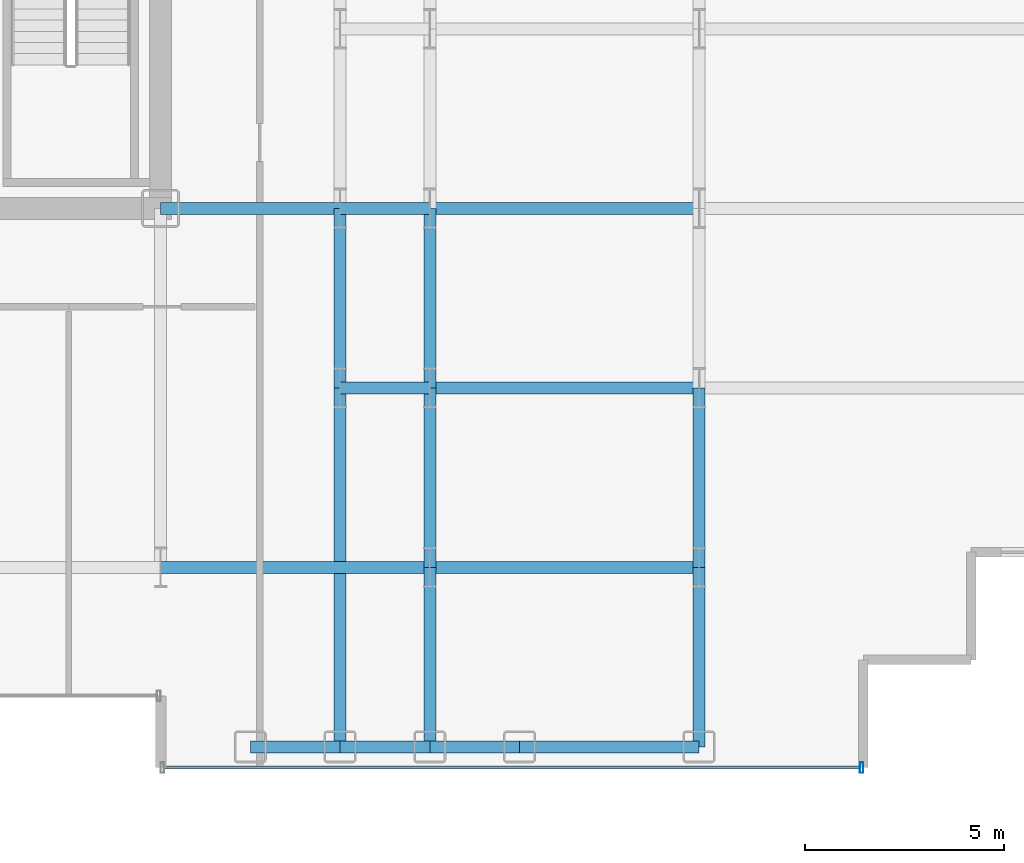
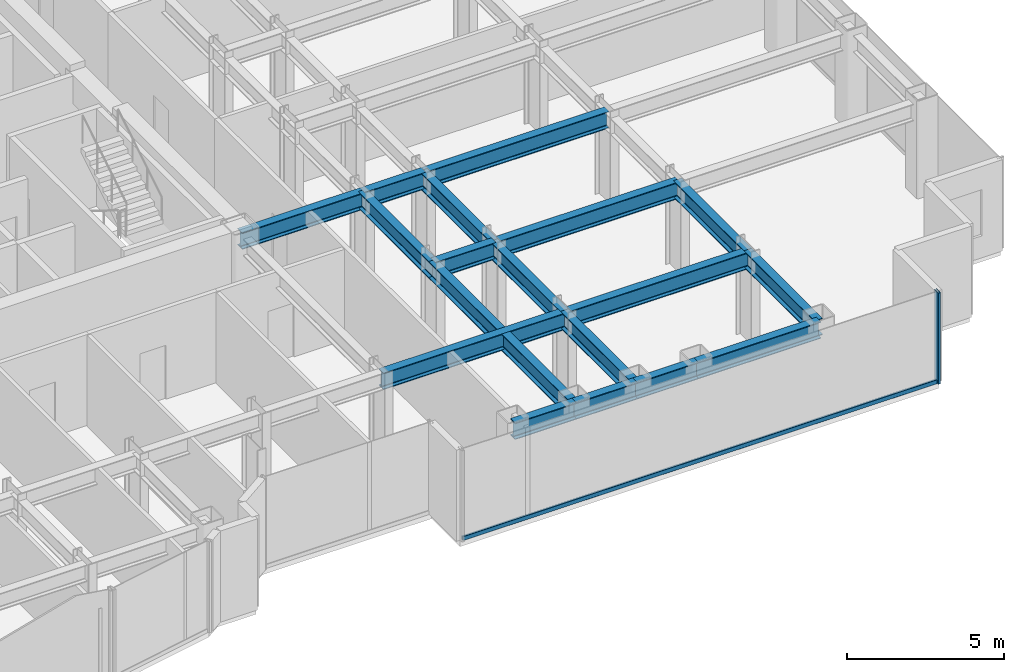
# One storey, part 7 of 25: 18 beams, 2 members, 1 element without a shape of its own.
"""IFC4 building model written with IfcOpenShell, lengths in metres."""

import ifcopenshell
import ifcopenshell.guid

model = None  # the IFC model being written
_history = None  # IfcOwnerHistory: only IFC2X3 demands one
_inside = {}  # id of a spatial element -> (the spatial element, [elements in it])
_under = {}  # id of a project, library or spatial element -> (it, [spatial elements below it])
_declared = {}  # id of a project -> (the project, [libraries it declares])
_typed = {}  # id of a type object -> (the type object, [elements of that type])
_made_of = {}  # id of a material, layer set ... -> (it, [elements and type objects made of it])


def new_model(schema):
    """Start an empty IFC model of exactly this schema.

    Asked for "IFC4X3", IfcOpenShell would pick the latest addendum, in which some entities
    have other attributes; the version numbers below select the first issue.
    IFC2X3 requires an IfcOwnerHistory on every rooted entity: one is made here for all.
    """
    global model, _history
    if schema == "IFC4X3":
        model = ifcopenshell.file(schema_version=(4, 3, 0, 0))
    else:
        model = ifcopenshell.file(schema=schema)
    _inside.clear()
    _under.clear()
    _declared.clear()
    _typed.clear()
    _made_of.clear()
    _history = None
    if model.schema == "IFC2X3":
        org = make("IfcOrganization", Name="unknown")
        user = make(
            "IfcPersonAndOrganization",
            ThePerson=make("IfcPerson", FamilyName="unknown"),
            TheOrganization=org,
        )
        app = make(
            "IfcApplication",
            ApplicationDeveloper=org,
            Version="unknown",
            ApplicationFullName="unknown",
            ApplicationIdentifier="unknown",
        )
        _history = make(
            "IfcOwnerHistory",
            OwningUser=user,
            OwningApplication=app,
            ChangeAction="ADDED",
            CreationDate=0,
        )
    return model


def make(cls, **values):
    """One entity of the class cls with the attributes given. An attribute that is None is left unset."""
    return model.create_entity(
        cls, **{name: value for name, value in values.items() if value is not None}
    )


def rooted(cls, **values):
    """An entity with a GlobalId (a new one), such as an element, a storey or a relation."""
    return make(cls, GlobalId=ifcopenshell.guid.new(), OwnerHistory=_history, **values)


def si_unit(unit_type, name, prefix=None):
    """IfcSIUnit, for example si_unit("LENGTHUNIT", "METRE", prefix="MILLI")."""
    return make("IfcSIUnit", UnitType=unit_type, Prefix=prefix, Name=name)


def assignment(units):
    """IfcUnitAssignment: the units of a project."""
    return None if units is None else make("IfcUnitAssignment", Units=units)


def point(xyz):
    """IfcCartesianPoint."""
    return None if xyz is None else make("IfcCartesianPoint", Coordinates=xyz)


def direction(xyz):
    """IfcDirection."""
    return None if xyz is None else make("IfcDirection", DirectionRatios=xyz)


def frame(location, z_axis=None, x_axis=None):
    """IfcAxis2Placement3D, a coordinate frame: its origin and axes. An axis left out is left unset."""
    return make(
        "IfcAxis2Placement3D",
        Location=point(location),
        Axis=direction(z_axis),
        RefDirection=direction(x_axis),
    )


def frame_2d(location, x_axis=None):
    """IfcAxis2Placement2D, a coordinate frame in the plane: its origin and x axis."""
    return make(
        "IfcAxis2Placement2D", Location=point(location), RefDirection=direction(x_axis)
    )


def origin():
    """The frame at (0, 0, 0) with its axes left unset."""
    return frame((0.0, 0.0, 0.0))


def origin_2d():
    """The frame at (0, 0) in the plane with its x axis left unset."""
    return frame_2d((0.0, 0.0))


def place(relative_to, where):
    """IfcLocalPlacement: puts the frame where relative to a parent placement (None: the world)."""
    return make(
        "IfcLocalPlacement", PlacementRelTo=relative_to, RelativePlacement=where
    )


def context(
    kind, dimensions, precision=None, world=None, true_north=None, identifier=None
):
    """IfcGeometricRepresentationContext, for example the 3D "Model" context."""
    return make(
        "IfcGeometricRepresentationContext",
        ContextIdentifier=identifier,
        ContextType=kind,
        CoordinateSpaceDimension=dimensions,
        Precision=precision,
        WorldCoordinateSystem=world,
        TrueNorth=true_north,
    )


def subcontext(parent, identifier, kind, view, scale=None):
    """IfcGeometricRepresentationSubContext, for example "Body" below "Model"."""
    return make(
        "IfcGeometricRepresentationSubContext",
        ContextIdentifier=identifier,
        ContextType=kind,
        ParentContext=parent,
        TargetScale=scale,
        TargetView=view,
    )


def project(units=None, contexts=None):
    """IfcProject with its units and contexts."""
    return rooted(
        "IfcProject",
        Name="project",
        RepresentationContexts=contexts,
        UnitsInContext=assignment(units),
    )


def spatial(cls, under=None, at=None, **own):
    """A site, building, storey or space (cls), placed at a placement, below another one or the project."""
    s = rooted(cls, ObjectPlacement=at, **own)
    if under is not None:
        _under.setdefault(under.id(), (under, []))[1].append(s)
    return s


def profile(cls, at=None, kind="AREA", **sizes):
    """A parametric profile (cls). Its sizes go by their IFC names, for example OverallWidth=200.0."""
    return make(cls, ProfileType=kind, Position=at, **sizes)


def hollow_rectangle(**sizes):
    """IfcRectangleHollowProfileDef."""
    return profile("IfcRectangleHollowProfileDef", **sizes)


def i_section(**sizes):
    """IfcIShapeProfileDef."""
    return profile("IfcIShapeProfileDef", **sizes)


def extrude(swept, where, along, depth):
    """IfcExtrudedAreaSolid: the profile swept, set in the frame where, extruded along a direction by depth."""
    return make(
        "IfcExtrudedAreaSolid",
        SweptArea=swept,
        Position=where,
        ExtrudedDirection=direction(along),
        Depth=depth,
    )


def shape(context_of_items, identifier, shape_type, items):
    """IfcShapeRepresentation: the items that make up one representation, for example the "Body"."""
    return make(
        "IfcShapeRepresentation",
        ContextOfItems=context_of_items,
        RepresentationIdentifier=identifier,
        RepresentationType=shape_type,
        Items=items,
    )


def source(mapping_origin, context_of_items, identifier, shape_type, items):
    """IfcRepresentationMap: a shape defined once, which mapped items show again and again."""
    return make(
        "IfcRepresentationMap",
        MappingOrigin=mapping_origin,
        MappedRepresentation=shape(context_of_items, identifier, shape_type, items),
    )


def transform(
    local_origin,
    x_axis=None,
    y_axis=None,
    z_axis=None,
    scale=None,
    scale2=None,
    scale3=None,
    uniform=True,
):
    """IfcCartesianTransformationOperator3D, or its non-uniform kind. x_axis, y_axis, z_axis: its Axis1, 2, 3."""
    if uniform:
        return make(
            "IfcCartesianTransformationOperator3D",
            Axis1=direction(x_axis),
            Axis2=direction(y_axis),
            LocalOrigin=point(local_origin),
            Scale=scale,
            Axis3=direction(z_axis),
        )
    return make(
        "IfcCartesianTransformationOperator3DnonUniform",
        Axis1=direction(x_axis),
        Axis2=direction(y_axis),
        LocalOrigin=point(local_origin),
        Scale=scale,
        Axis3=direction(z_axis),
        Scale2=scale2,
        Scale3=scale3,
    )


def mapped(mapping_source, mapping_target):
    """IfcMappedItem: shows the shape of a source again, moved by a transform."""
    return make(
        "IfcMappedItem", MappingSource=mapping_source, MappingTarget=mapping_target
    )


def material(Name=None, Category=None):
    """IfcMaterial."""
    return make("IfcMaterial", Name=Name, Category=Category)


def layer(
    of_material, thickness, ventilated=None, Name=None, Category=None, Priority=None
):
    """IfcMaterialLayer: one layer of a wall or slab, of a material (None: an air gap)."""
    return make(
        "IfcMaterialLayer",
        Material=of_material,
        LayerThickness=thickness,
        IsVentilated=ventilated,
        Name=Name,
        Category=Category,
        Priority=Priority,
    )


def layer_set(layers, Name=None):
    """IfcMaterialLayerSet."""
    return make("IfcMaterialLayerSet", MaterialLayers=layers, LayerSetName=Name)


def material_profile(
    of_material, cross_section, Name=None, Category=None, Priority=None
):
    """IfcMaterialProfile: a cross section and its material."""
    return make(
        "IfcMaterialProfile",
        Name=Name,
        Material=of_material,
        Profile=cross_section,
        Priority=Priority,
        Category=Category,
    )


def profile_set(profiles, Name=None, composite=None):
    """IfcMaterialProfileSet."""
    return make(
        "IfcMaterialProfileSet",
        Name=Name,
        MaterialProfiles=profiles,
        CompositeProfile=composite,
    )


def made_of(thing, what):
    """Note that an element or type object is made of a material, layer set ...; save() writes the relation."""
    if what is not None:
        _made_of.setdefault(what.id(), (what, []))[1].append(thing)
    return thing


def type_object(cls, material=None, **own):
    """A type object (cls), such as IfcWallType, which elements share."""
    return made_of(rooted(cls, **own), material)


def element(
    cls,
    number,
    at=None,
    inside=None,
    cuts=None,
    type_object=None,
    material=None,
    context=None,
    identifier="Body",
    shape_type=None,
    held_by="IfcProductDefinitionShape",
    body=None,
    shapes=None,
    **own,
):
    """One element of the class cls, such as IfcWall. Its Tag is "e" and its number.

    at: its placement. inside: the storey or other place that contains it. cuts: it is an
    opening in that element (IfcRelVoidsElement). A single representation is given by context,
    identifier, shape_type and body (its items); several are given by shapes. held_by: the class
    of the entity that holds the representations. save() writes the other relations.
    """
    e = rooted(cls, Tag="e%d" % number, ObjectPlacement=at, **own)
    if body is not None:
        shapes = [shape(context, identifier, shape_type, body)]
    if shapes is not None:
        e.Representation = make(held_by, Representations=shapes)
    if inside is not None:
        _inside.setdefault(inside.id(), (inside, []))[1].append(e)
    if cuts is not None:
        rooted(
            "IfcRelVoidsElement", RelatingBuildingElement=cuts, RelatedOpeningElement=e
        )
    if type_object is not None:
        _typed.setdefault(type_object.id(), (type_object, []))[1].append(e)
    return made_of(e, material)


def aggregate(whole, parts):
    """IfcRelAggregates: a whole, such as a stair, and the parts it consists of."""
    return rooted("IfcRelAggregates", RelatingObject=whole, RelatedObjects=parts)


def save(model, path):
    """Write the relations noted so far, then the file.

    IfcRelAggregates (storeys below a building ...), IfcRelContainedInSpatialStructure (elements
    in a storey), IfcRelDefinesByType, IfcRelAssociatesMaterial and IfcRelDeclares: one each for
    every whole, place, type object, material and project.
    """
    for whole, parts in _under.values():
        aggregate(whole, parts)
    for where, things in _inside.values():
        rooted(
            "IfcRelContainedInSpatialStructure",
            RelatedElements=things,
            RelatingStructure=where,
        )
    for kind, things in _typed.values():
        rooted("IfcRelDefinesByType", RelatedObjects=things, RelatingType=kind)
    for what, things in _made_of.values():
        rooted("IfcRelAssociatesMaterial", RelatedObjects=things, RelatingMaterial=what)
    for by, libraries in _declared.values():
        rooted("IfcRelDeclares", RelatingContext=by, RelatedDefinitions=libraries)
    model.write(path)


model = new_model("IFC4")

# Units and contexts
model_context = context("Model", 3, precision=1e-05, world=origin(), true_north=direction((0.0, 1.0)))
body_context = subcontext(model_context, "Body", "Model", "MODEL_VIEW")
ifc_project = project(units=[si_unit("LENGTHUNIT", "METRE"), si_unit("AREAUNIT", "SQUARE_METRE"), si_unit("VOLUMEUNIT", "CUBIC_METRE"), si_unit("PLANEANGLEUNIT", "RADIAN"), si_unit("MASSUNIT", "GRAM", prefix="KILO")], contexts=[model_context])

# Site, building, storey
site_placement = place(None, origin())
site = spatial("IfcSite", under=ifc_project, at=site_placement, CompositionType="ELEMENT")
building_placement = place(site_placement, origin())
building = spatial("IfcBuilding", under=site, at=building_placement, Name="Nefas-Gora Pilgrimage Tower", CompositionType="ELEMENT")
storey_placement = place(building_placement, frame((0.0, 0.0, 109.800048828125)))
storey = spatial("IfcBuildingStorey", under=building, at=storey_placement, Name="L26", CompositionType="ELEMENT", Elevation=109.800048828125)

# Beams
ifc_material_1 = material(Name="Steel S355", Category="steel")
ifc_material_profile_1 = material_profile(ifc_material_1, i_section(OverallWidth=0.300048828125, OverallDepth=0.64990234375, WebThickness=0.01611328125, FlangeThickness=0.031005859375, FilletRadius=0.027099609375, at=origin_2d()), Name="HEB 650")
ifc_profile_set_1 = profile_set([ifc_material_profile_1], Name="Steel S355")
beam_type_1 = type_object("IfcBeamType", Name="BM-SPN-HEB500", PredefinedType="SPANDREL", material=ifc_profile_set_1)
shared_shape_1 = source(origin(), body_context, "Body", "SweptSolid", [
    extrude(i_section(OverallWidth=0.300048828125, OverallDepth=0.64990234375, WebThickness=0.01611328125, FlangeThickness=0.031005859375, FilletRadius=0.027099609375, at=origin_2d()), origin(), (0.0, 0.0, 1.0), 4.5),
])
beam_1_placement = place(storey_placement, frame((20.25, -22.5, 3.224853515625), z_axis=(1.0, 0.0, 0.0), x_axis=(0.0, 1.0, 0.0)))
element("IfcBeam", 1, at=beam_1_placement, inside=storey, type_object=beam_type_1, Name="L26 SP-02 beam", PredefinedType="SPANDREL", context=body_context, shape_type="MappedRepresentation", body=[
    mapped(shared_shape_1, transform((0.0, 0.0, 0.0), x_axis=(1.0, 0.0, 0.0), y_axis=(0.0, 1.0, 0.0), z_axis=(0.0, 0.0, 1.0), scale=1.0)),
])
ifc_material_profile_2 = material_profile(ifc_material_1, i_section(OverallWidth=0.300048828125, OverallDepth=0.64990234375, WebThickness=0.01611328125, FlangeThickness=0.031005859375, FilletRadius=0.027099609375, at=origin_2d()), Name="HEB 650")
ifc_profile_set_2 = profile_set([ifc_material_profile_2], Name="Steel S355")
beam_type_2 = type_object("IfcBeamType", Name="BM-GIR-HEB650", PredefinedType="BEAM", material=ifc_profile_set_2)
shared_shape_2 = source(origin(), body_context, "Body", "SweptSolid", [
    extrude(i_section(OverallWidth=0.300048828125, OverallDepth=0.64990234375, WebThickness=0.01611328125, FlangeThickness=0.031005859375, FilletRadius=0.027099609375, at=origin_2d()), origin(), (0.0, 0.0, 1.0), 9.0),
])
beam_2_placement = place(storey_placement, frame((15.75, -22.5, 3.224853515625), z_axis=(0.0, 1.0, 0.0), x_axis=(-1.0, 0.0, 0.0)))
element("IfcBeam", 2, at=beam_2_placement, inside=storey, type_object=beam_type_2, Name="L26 G-03 beam", PredefinedType="BEAM", context=body_context, shape_type="MappedRepresentation", body=[
    mapped(shared_shape_2, transform((0.0, 0.0, 0.0), x_axis=(1.0, 0.0, 0.0), y_axis=(0.0, 1.0, 0.0), z_axis=(0.0, 0.0, 1.0), scale=1.0)),
])
shared_shape_3 = source(origin(), body_context, "Body", "SweptSolid", [
    extrude(i_section(OverallWidth=0.300048828125, OverallDepth=0.64990234375, WebThickness=0.01611328125, FlangeThickness=0.031005859375, FilletRadius=0.027099609375, at=origin_2d()), origin(), (0.0, 0.0, 1.0), 4.5),
])
for number, where, z_axis, x_axis, name in (
    (3, (11.25, -9.0, 3.224853515625), (1.0, 0.0, 0.0), (0.0, 1.0, 0.0), "L26 G-03 beam"),
    (4, (15.75, -13.5, 3.224853515625), (0.0, 1.0, 0.0), (-1.0, 0.0, 0.0), "L26 G-03 beam"),
    (5, (18.0, -22.5, 3.224853515625), (0.0, 1.0, 0.0), (-1.0, 0.0, 0.0), "L26 G-03 beam"),
    (6, (18.0, -18.0, 3.224853515625), (0.0, 1.0, 0.0), (-1.0, 0.0, 0.0), "L26 G-03 beam"),
    (7, (18.0, -13.5, 3.224853515625), (0.0, 1.0, 0.0), (-1.0, 0.0, 0.0), "L26 G-03 beam"),
    (8, (24.75, -22.5, 3.224853515625), (0.0, 1.0, 0.0), (-1.0, 0.0, 0.0), "L26 G-03 beam"),
    (9, (24.75, -18.0, 3.224853515625), (0.0, 1.0, 0.0), (-1.0, 0.0, 0.0), "L26 G-03 beam"),
):
    element("IfcBeam", number, at=place(storey_placement, frame(where, z_axis=z_axis, x_axis=x_axis)), inside=storey, type_object=beam_type_2, Name=name, PredefinedType="BEAM", context=body_context, shape_type="MappedRepresentation", body=[
        mapped(shared_shape_3, transform((0.0, 0.0, 0.0), x_axis=(1.0, 0.0, 0.0), y_axis=(0.0, 1.0, 0.0), z_axis=(0.0, 0.0, 1.0), scale=1.0)),
    ])
shared_shape_4 = source(origin(), body_context, "Body", "SweptSolid", [
    extrude(i_section(OverallWidth=0.300048828125, OverallDepth=0.64990234375, WebThickness=0.01611328125, FlangeThickness=0.031005859375, FilletRadius=0.027099609375, at=origin_2d()), origin(), (0.0, 0.0, 1.0), 6.75),
])
for number, where, z_axis, x_axis, name in (
    (10, (11.25, -18.0, 3.224853515625), (1.0, 0.0, 0.0), (0.0, 1.0, 0.0), "L26 G-03 beam"),
    (11, (18.0, -18.0, 3.224853515625), (1.0, 0.0, 0.0), (0.0, 1.0, 0.0), "L26 G-03 beam"),
    (12, (18.0, -13.5, 3.224853515625), (1.0, 0.0, 0.0), (0.0, 1.0, 0.0), "L26 G-03 beam"),
    (13, (18.0, -9.0, 3.224853515625), (1.0, 0.0, 0.0), (0.0, 1.0, 0.0), "L26 G-03 beam"),
):
    element("IfcBeam", number, at=place(storey_placement, frame(where, z_axis=z_axis, x_axis=x_axis)), inside=storey, type_object=beam_type_2, Name=name, PredefinedType="BEAM", context=body_context, shape_type="MappedRepresentation", body=[
        mapped(shared_shape_4, transform((0.0, 0.0, 0.0), x_axis=(1.0, 0.0, 0.0), y_axis=(0.0, 1.0, 0.0), z_axis=(0.0, 0.0, 1.0), scale=1.0)),
    ])
shared_shape_5 = source(origin(), body_context, "Body", "SweptSolid", [
    extrude(i_section(OverallWidth=0.300048828125, OverallDepth=0.64990234375, WebThickness=0.01611328125, FlangeThickness=0.031005859375, FilletRadius=0.027099609375, at=origin_2d()), origin(), (0.0, 0.0, 1.0), 2.25),
])
for number, where, z_axis, x_axis, name in (
    (14, (13.5, -22.5, 3.224853515625), (1.0, 0.0, 0.0), (0.0, 1.0, 0.0), "L26 SP-02 beam"),
    (15, (15.75, -22.5, 3.224853515625), (1.0, 0.0, 0.0), (0.0, 1.0, 0.0), "L26 SP-02 beam"),
    (16, (18.0, -22.5, 3.224853515625), (1.0, 0.0, 0.0), (0.0, 1.0, 0.0), "L26 SP-02 beam"),
):
    element("IfcBeam", number, at=place(storey_placement, frame(where, z_axis=z_axis, x_axis=x_axis)), inside=storey, type_object=beam_type_1, Name=name, PredefinedType="SPANDREL", context=body_context, shape_type="MappedRepresentation", body=[
        mapped(shared_shape_5, transform((0.0, 0.0, 0.0), x_axis=(1.0, 0.0, 0.0), y_axis=(0.0, 1.0, 0.0), z_axis=(0.0, 0.0, 1.0), scale=1.0)),
    ])
shared_shape_6 = source(origin(), body_context, "Body", "SweptSolid", [
    extrude(i_section(OverallWidth=0.300048828125, OverallDepth=0.64990234375, WebThickness=0.01611328125, FlangeThickness=0.031005859375, FilletRadius=0.027099609375, at=origin_2d()), origin(), (0.0, 0.0, 1.0), 2.25),
])
for number, where, z_axis, x_axis, name in (
    (17, (15.75, -13.5, 3.224853515625), (1.0, 0.0, 0.0), (0.0, 1.0, 0.0), "L26 G-03 beam"),
    (18, (15.75, -9.0, 3.224853515625), (1.0, 0.0, 0.0), (0.0, 1.0, 0.0), "L26 G-03 beam"),
):
    element("IfcBeam", number, at=place(storey_placement, frame(where, z_axis=z_axis, x_axis=x_axis)), inside=storey, type_object=beam_type_2, Name=name, PredefinedType="BEAM", context=body_context, shape_type="MappedRepresentation", body=[
        mapped(shared_shape_6, transform((0.0, 0.0, 0.0), x_axis=(1.0, 0.0, 0.0), y_axis=(0.0, 1.0, 0.0), z_axis=(0.0, 0.0, 1.0), scale=1.0)),
    ])

# Curtain wall, members
ifc_material_2 = material(Name="Dark ceramic-fritted solar-control aluminium-glass curtain wall", Category="aluminium")
ifc_layer = layer(ifc_material_2, 0.219970703125)
ifc_layer_set = layer_set([ifc_layer], Name="Dark ceramic-fritted solar-control aluminium-glass curtain wall")
curtain_wall_type = type_object("IfcCurtainWallType", Name="CW-SYS-2", PredefinedType="NOTDEFINED", material=ifc_layer_set)
curtain_wall_placement = place(storey_placement, origin())
curtain_wall = element("IfcCurtainWall", 19, at=curtain_wall_placement, inside=storey, type_object=curtain_wall_type, Name="L26 Unitised Curtain Wall CW2", PredefinedType="NOTDEFINED")
ifc_material_3 = material(Name="Anodised architectural aluminium", Category="aluminium")
ifc_material_profile_3 = material_profile(ifc_material_3, hollow_rectangle(XDim=0.090087890625, YDim=0.260009765625, WallThickness=0.006103515625, InnerFilletRadius=0.006103515625, OuterFilletRadius=0.011962890625, at=origin_2d()), Name="ALU MULLION 90x260")
ifc_profile_set_3 = profile_set([ifc_material_profile_3], Name="Anodised architectural aluminium")
member_type_1 = type_object("IfcMemberType", Name="CWM-MUL-2", PredefinedType="MULLION", material=ifc_profile_set_3)
shared_shape_7 = source(origin(), body_context, "Body", "SweptSolid", [
    extrude(hollow_rectangle(XDim=0.090087890625, YDim=0.260009765625, WallThickness=0.006103515625, InnerFilletRadius=0.006103515625, OuterFilletRadius=0.011962890625, at=origin_2d()), origin(), (0.0, 0.0, 1.0), 3.550048828125),
])
member_1_placement = place(storey_placement, frame((28.824951171875, -23.02001953125, 0.0), z_axis=(0.0, 0.0, 1.0), x_axis=(1.0, 0.0, 0.0)))
member_1 = element("IfcMember", 20, at=member_1_placement, type_object=member_type_1, Name="CW2 Mullion 2", PredefinedType="MULLION", context=body_context, shape_type="MappedRepresentation", body=[
    mapped(shared_shape_7, transform((0.0, 0.0, 0.0), x_axis=(1.0, 0.0, 0.0), y_axis=(0.0, 1.0, 0.0), z_axis=(0.0, 0.0, 1.0), scale=1.0)),
])
ifc_material_profile_4 = material_profile(ifc_material_3, hollow_rectangle(XDim=0.080078125, YDim=0.159912109375, WallThickness=0.00439453125, InnerFilletRadius=0.00439453125, OuterFilletRadius=0.009033203125, at=origin_2d()), Name="ALU TRANSOM 80x160")
ifc_profile_set_4 = profile_set([ifc_material_profile_4], Name="Anodised architectural aluminium")
member_type_2 = type_object("IfcMemberType", Name="CWM-TRN-2", PredefinedType="USERDEFINED", material=ifc_profile_set_4)
shared_shape_8 = source(origin(), body_context, "Body", "SweptSolid", [
    extrude(hollow_rectangle(XDim=0.080078125, YDim=0.159912109375, WallThickness=0.00439453125, InnerFilletRadius=0.00439453125, OuterFilletRadius=0.009033203125, at=origin_2d()), origin(), (0.0, 0.0, 1.0), 17.43994140625),
])
member_2_placement = place(storey_placement, frame((11.340087890625, -23.02001953125, 0.050048828125), z_axis=(1.0, 0.0, 0.0), x_axis=(0.0, 1.0, 0.0)))
member_2 = element("IfcMember", 21, at=member_2_placement, type_object=member_type_2, Name="CW2 Spandrel Transom", ObjectType="TRANSOM", PredefinedType="USERDEFINED", context=body_context, shape_type="MappedRepresentation", body=[
    mapped(shared_shape_8, transform((0.0, 0.0, 0.0), x_axis=(1.0, 0.0, 0.0), y_axis=(0.0, 1.0, 0.0), z_axis=(0.0, 0.0, 1.0), scale=1.0)),
])
aggregate(curtain_wall, [member_1, member_2])

save(model, "model.ifc")
